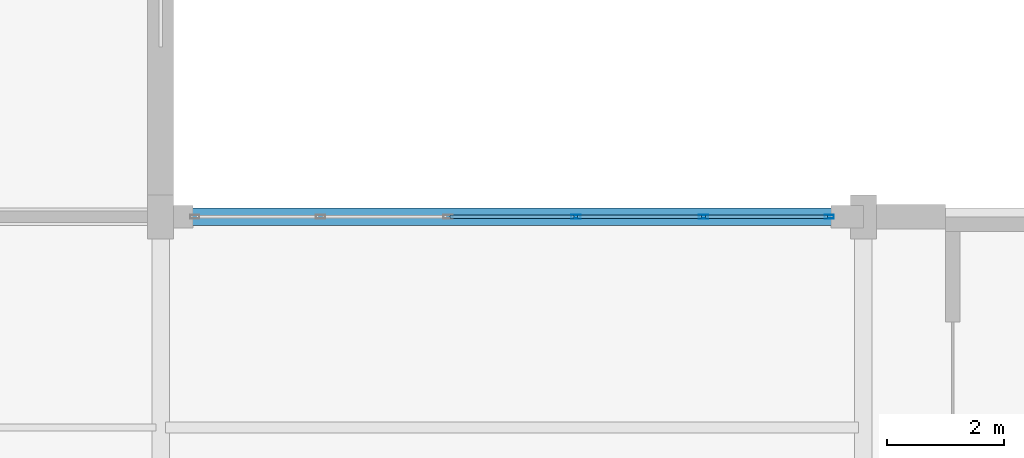
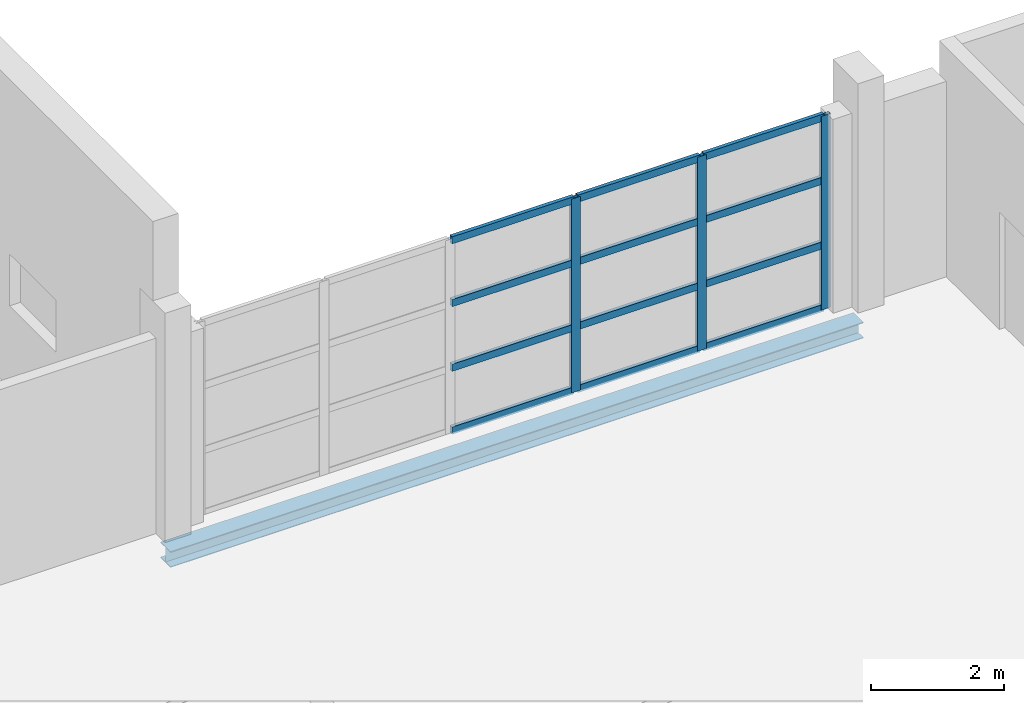
# One storey, part 114 of 147: 15 members, 1 beam, 1 element without a shape of its own.
"""IFC4 building model written with IfcOpenShell, lengths in metres."""

import ifcopenshell
import ifcopenshell.guid

model = None  # the IFC model being written
_history = None  # IfcOwnerHistory: only IFC2X3 demands one
_inside = {}  # id of a spatial element -> (the spatial element, [elements in it])
_under = {}  # id of a project, library or spatial element -> (it, [spatial elements below it])
_declared = {}  # id of a project -> (the project, [libraries it declares])
_typed = {}  # id of a type object -> (the type object, [elements of that type])
_made_of = {}  # id of a material, layer set ... -> (it, [elements and type objects made of it])


def new_model(schema):
    """Start an empty IFC model of exactly this schema.

    Asked for "IFC4X3", IfcOpenShell would pick the latest addendum, in which some entities
    have other attributes; the version numbers below select the first issue.
    IFC2X3 requires an IfcOwnerHistory on every rooted entity: one is made here for all.
    """
    global model, _history
    if schema == "IFC4X3":
        model = ifcopenshell.file(schema_version=(4, 3, 0, 0))
    else:
        model = ifcopenshell.file(schema=schema)
    _inside.clear()
    _under.clear()
    _declared.clear()
    _typed.clear()
    _made_of.clear()
    _history = None
    if model.schema == "IFC2X3":
        org = make("IfcOrganization", Name="unknown")
        user = make(
            "IfcPersonAndOrganization",
            ThePerson=make("IfcPerson", FamilyName="unknown"),
            TheOrganization=org,
        )
        app = make(
            "IfcApplication",
            ApplicationDeveloper=org,
            Version="unknown",
            ApplicationFullName="unknown",
            ApplicationIdentifier="unknown",
        )
        _history = make(
            "IfcOwnerHistory",
            OwningUser=user,
            OwningApplication=app,
            ChangeAction="ADDED",
            CreationDate=0,
        )
    return model


def make(cls, **values):
    """One entity of the class cls with the attributes given. An attribute that is None is left unset."""
    return model.create_entity(
        cls, **{name: value for name, value in values.items() if value is not None}
    )


def rooted(cls, **values):
    """An entity with a GlobalId (a new one), such as an element, a storey or a relation."""
    return make(cls, GlobalId=ifcopenshell.guid.new(), OwnerHistory=_history, **values)


def si_unit(unit_type, name, prefix=None):
    """IfcSIUnit, for example si_unit("LENGTHUNIT", "METRE", prefix="MILLI")."""
    return make("IfcSIUnit", UnitType=unit_type, Prefix=prefix, Name=name)


def assignment(units):
    """IfcUnitAssignment: the units of a project."""
    return None if units is None else make("IfcUnitAssignment", Units=units)


def point(xyz):
    """IfcCartesianPoint."""
    return None if xyz is None else make("IfcCartesianPoint", Coordinates=xyz)


def direction(xyz):
    """IfcDirection."""
    return None if xyz is None else make("IfcDirection", DirectionRatios=xyz)


def frame(location, z_axis=None, x_axis=None):
    """IfcAxis2Placement3D, a coordinate frame: its origin and axes. An axis left out is left unset."""
    return make(
        "IfcAxis2Placement3D",
        Location=point(location),
        Axis=direction(z_axis),
        RefDirection=direction(x_axis),
    )


def frame_2d(location, x_axis=None):
    """IfcAxis2Placement2D, a coordinate frame in the plane: its origin and x axis."""
    return make(
        "IfcAxis2Placement2D", Location=point(location), RefDirection=direction(x_axis)
    )


def origin():
    """The frame at (0, 0, 0) with its axes left unset."""
    return frame((0.0, 0.0, 0.0))


def origin_2d():
    """The frame at (0, 0) in the plane with its x axis left unset."""
    return frame_2d((0.0, 0.0))


def place(relative_to, where):
    """IfcLocalPlacement: puts the frame where relative to a parent placement (None: the world)."""
    return make(
        "IfcLocalPlacement", PlacementRelTo=relative_to, RelativePlacement=where
    )


def context(
    kind, dimensions, precision=None, world=None, true_north=None, identifier=None
):
    """IfcGeometricRepresentationContext, for example the 3D "Model" context."""
    return make(
        "IfcGeometricRepresentationContext",
        ContextIdentifier=identifier,
        ContextType=kind,
        CoordinateSpaceDimension=dimensions,
        Precision=precision,
        WorldCoordinateSystem=world,
        TrueNorth=true_north,
    )


def subcontext(parent, identifier, kind, view, scale=None):
    """IfcGeometricRepresentationSubContext, for example "Body" below "Model"."""
    return make(
        "IfcGeometricRepresentationSubContext",
        ContextIdentifier=identifier,
        ContextType=kind,
        ParentContext=parent,
        TargetScale=scale,
        TargetView=view,
    )


def project(units=None, contexts=None):
    """IfcProject with its units and contexts."""
    return rooted(
        "IfcProject",
        Name="project",
        RepresentationContexts=contexts,
        UnitsInContext=assignment(units),
    )


def spatial(cls, under=None, at=None, **own):
    """A site, building, storey or space (cls), placed at a placement, below another one or the project."""
    s = rooted(cls, ObjectPlacement=at, **own)
    if under is not None:
        _under.setdefault(under.id(), (under, []))[1].append(s)
    return s


def profile(cls, at=None, kind="AREA", **sizes):
    """A parametric profile (cls). Its sizes go by their IFC names, for example OverallWidth=200.0."""
    return make(cls, ProfileType=kind, Position=at, **sizes)


def hollow_rectangle(**sizes):
    """IfcRectangleHollowProfileDef."""
    return profile("IfcRectangleHollowProfileDef", **sizes)


def i_section(**sizes):
    """IfcIShapeProfileDef."""
    return profile("IfcIShapeProfileDef", **sizes)


def extrude(swept, where, along, depth):
    """IfcExtrudedAreaSolid: the profile swept, set in the frame where, extruded along a direction by depth."""
    return make(
        "IfcExtrudedAreaSolid",
        SweptArea=swept,
        Position=where,
        ExtrudedDirection=direction(along),
        Depth=depth,
    )


def shape(context_of_items, identifier, shape_type, items):
    """IfcShapeRepresentation: the items that make up one representation, for example the "Body"."""
    return make(
        "IfcShapeRepresentation",
        ContextOfItems=context_of_items,
        RepresentationIdentifier=identifier,
        RepresentationType=shape_type,
        Items=items,
    )


def material(Name=None, Category=None):
    """IfcMaterial."""
    return make("IfcMaterial", Name=Name, Category=Category)


def layer(
    of_material, thickness, ventilated=None, Name=None, Category=None, Priority=None
):
    """IfcMaterialLayer: one layer of a wall or slab, of a material (None: an air gap)."""
    return make(
        "IfcMaterialLayer",
        Material=of_material,
        LayerThickness=thickness,
        IsVentilated=ventilated,
        Name=Name,
        Category=Category,
        Priority=Priority,
    )


def layer_set(layers, Name=None):
    """IfcMaterialLayerSet."""
    return make("IfcMaterialLayerSet", MaterialLayers=layers, LayerSetName=Name)


def material_profile(
    of_material, cross_section, Name=None, Category=None, Priority=None
):
    """IfcMaterialProfile: a cross section and its material."""
    return make(
        "IfcMaterialProfile",
        Name=Name,
        Material=of_material,
        Profile=cross_section,
        Priority=Priority,
        Category=Category,
    )


def profile_set(profiles, Name=None, composite=None):
    """IfcMaterialProfileSet."""
    return make(
        "IfcMaterialProfileSet",
        Name=Name,
        MaterialProfiles=profiles,
        CompositeProfile=composite,
    )


def made_of(thing, what):
    """Note that an element or type object is made of a material, layer set ...; save() writes the relation."""
    if what is not None:
        _made_of.setdefault(what.id(), (what, []))[1].append(thing)
    return thing


def type_object(cls, material=None, **own):
    """A type object (cls), such as IfcWallType, which elements share."""
    return made_of(rooted(cls, **own), material)


def element(
    cls,
    number,
    at=None,
    inside=None,
    cuts=None,
    type_object=None,
    material=None,
    context=None,
    identifier="Body",
    shape_type=None,
    held_by="IfcProductDefinitionShape",
    body=None,
    shapes=None,
    **own,
):
    """One element of the class cls, such as IfcWall. Its Tag is "e" and its number.

    at: its placement. inside: the storey or other place that contains it. cuts: it is an
    opening in that element (IfcRelVoidsElement). A single representation is given by context,
    identifier, shape_type and body (its items); several are given by shapes. held_by: the class
    of the entity that holds the representations. save() writes the other relations.
    """
    e = rooted(cls, Tag="e%d" % number, ObjectPlacement=at, **own)
    if body is not None:
        shapes = [shape(context, identifier, shape_type, body)]
    if shapes is not None:
        e.Representation = make(held_by, Representations=shapes)
    if inside is not None:
        _inside.setdefault(inside.id(), (inside, []))[1].append(e)
    if cuts is not None:
        rooted(
            "IfcRelVoidsElement", RelatingBuildingElement=cuts, RelatedOpeningElement=e
        )
    if type_object is not None:
        _typed.setdefault(type_object.id(), (type_object, []))[1].append(e)
    return made_of(e, material)


def aggregate(whole, parts):
    """IfcRelAggregates: a whole, such as a stair, and the parts it consists of."""
    return rooted("IfcRelAggregates", RelatingObject=whole, RelatedObjects=parts)


def save(model, path):
    """Write the relations noted so far, then the file.

    IfcRelAggregates (storeys below a building ...), IfcRelContainedInSpatialStructure (elements
    in a storey), IfcRelDefinesByType, IfcRelAssociatesMaterial and IfcRelDeclares: one each for
    every whole, place, type object, material and project.
    """
    for whole, parts in _under.values():
        aggregate(whole, parts)
    for where, things in _inside.values():
        rooted(
            "IfcRelContainedInSpatialStructure",
            RelatedElements=things,
            RelatingStructure=where,
        )
    for kind, things in _typed.values():
        rooted("IfcRelDefinesByType", RelatedObjects=things, RelatingType=kind)
    for what, things in _made_of.values():
        rooted("IfcRelAssociatesMaterial", RelatedObjects=things, RelatingMaterial=what)
    for by, libraries in _declared.values():
        rooted("IfcRelDeclares", RelatingContext=by, RelatedDefinitions=libraries)
    model.write(path)


model = new_model("IFC4")

# Units and contexts
model_context = context("Model", 3, precision=1e-05, world=origin(), true_north=direction((0.0, 1.0)))
body_context = subcontext(model_context, "Body", "Model", "MODEL_VIEW")
ifc_project = project(units=[si_unit("LENGTHUNIT", "METRE"), si_unit("AREAUNIT", "SQUARE_METRE"), si_unit("VOLUMEUNIT", "CUBIC_METRE"), si_unit("PLANEANGLEUNIT", "RADIAN"), si_unit("MASSUNIT", "GRAM", prefix="KILO")], contexts=[model_context])

# Site, building, storey
site_placement = place(None, origin())
site = spatial("IfcSite", under=ifc_project, at=site_placement, CompositionType="ELEMENT")
building_placement = place(site_placement, origin())
building = spatial("IfcBuilding", under=site, at=building_placement, Name="Zilviju Railside Exhibition Hall", CompositionType="ELEMENT")
storey_placement = place(building_placement, frame((0.0, 0.0, 8.39990234375)))
storey = spatial("IfcBuildingStorey", under=building, at=storey_placement, Name="L03", CompositionType="ELEMENT", Elevation=8.39990234375)

# Beam
ifc_material_1 = material(Name="Steel S355J2", Category="steel")
ifc_material_profile_1 = material_profile(ifc_material_1, i_section(OverallWidth=0.300048828125, OverallDepth=0.2900390625, WebThickness=0.008544921875, FlangeThickness=0.013916015625, at=origin_2d()), Name="HEA 300")
ifc_profile_set_1 = profile_set([ifc_material_profile_1], Name="Steel S355J2")
beam_type = type_object("IfcBeamType", Name="BM-HEA300", PredefinedType="SPANDREL", material=ifc_profile_set_1)
beam_placement = place(storey_placement, frame((180.0, 138.0, -0.52490234375), z_axis=(1.0, 0.0, 0.0), x_axis=(0.0, 1.0, 0.0)))
element("IfcBeam", 1, at=beam_placement, inside=storey, type_object=beam_type, Name="Primary Girder L03 Y=138.0 (180.0..192.0)", PredefinedType="SPANDREL", context=body_context, shape_type="SweptSolid", body=[
    extrude(i_section(OverallWidth=0.300048828125, OverallDepth=0.2900390625, WebThickness=0.008544921875, FlangeThickness=0.013916015625, at=origin_2d()), origin(), (0.0, 0.0, 1.0), 12.0),
])

# Curtain wall, members
ifc_material_2 = material(Name="Thermally broken aluminium-steel triple-glazed curtain wall", Category="steel")
ifc_layer = layer(ifc_material_2, 0.179931640625)
ifc_layer_set = layer_set([ifc_layer], Name="Thermally broken aluminium-steel triple-glazed curtain wall")
curtain_wall_type = type_object("IfcCurtainWallType", Name="CW-BAY-06", PredefinedType="USERDEFINED", material=ifc_layer_set)
curtain_wall_placement = place(storey_placement, origin())
curtain_wall = element("IfcCurtainWall", 2, at=curtain_wall_placement, inside=storey, type_object=curtain_wall_type, Name="North Hall Clerestory Curtain Wall L03 (180..192)", ObjectType="GLAZED CURTAIN WALL", PredefinedType="USERDEFINED")
ifc_material_3 = material(Name="Thermally broken anodized aluminium mullion", Category="aluminium")
ifc_material_profile_2 = material_profile(ifc_material_3, hollow_rectangle(XDim=0.06494140625, YDim=0.159912109375, WallThickness=0.0048828125, at=origin_2d()), Name="MULLION 160x65x5")
ifc_profile_set_2 = profile_set([ifc_material_profile_2], Name="Thermally broken anodized aluminium mullion")
member_type_1 = type_object("IfcMemberType", Name="CWM-65x160", PredefinedType="MULLION", material=ifc_profile_set_2)
member_1_placement = place(storey_placement, frame((187.090087890625, 138.0, 0.0), z_axis=(0.0, 0.0, 1.0), x_axis=(0.0, 1.0, 0.0)))
member_1 = element("IfcMember", 3, at=member_1_placement, type_object=member_type_1, Name="CW-06 mullion 4", PredefinedType="MULLION", context=body_context, shape_type="SweptSolid", body=[
    extrude(hollow_rectangle(XDim=0.06494140625, YDim=0.159912109375, WallThickness=0.0048828125, at=origin_2d()), origin(), (0.0, 0.0, 1.0), 3.550048828125),
])
member_2_placement = place(storey_placement, frame((189.27001953125, 138.0, 0.0), z_axis=(0.0, 0.0, 1.0), x_axis=(0.0, 1.0, 0.0)))
member_2 = element("IfcMember", 4, at=member_2_placement, type_object=member_type_1, Name="CW-06 mullion 5", PredefinedType="MULLION", context=body_context, shape_type="SweptSolid", body=[
    extrude(hollow_rectangle(XDim=0.06494140625, YDim=0.159912109375, WallThickness=0.0048828125, at=origin_2d()), origin(), (0.0, 0.0, 1.0), 3.550048828125),
])
member_3_placement = place(storey_placement, frame((191.41748046875, 138.0, 0.0), z_axis=(0.0, 0.0, 1.0), x_axis=(0.0, 1.0, 0.0)))
member_3 = element("IfcMember", 5, at=member_3_placement, type_object=member_type_1, Name="CW-06 mullion 6", PredefinedType="MULLION", context=body_context, shape_type="SweptSolid", body=[
    extrude(hollow_rectangle(XDim=0.06494140625, YDim=0.159912109375, WallThickness=0.0048828125, at=origin_2d()), origin(), (0.0, 0.0, 1.0), 3.550048828125),
])
ifc_material_4 = material(Name="Thermally broken anodized aluminium transom", Category="aluminium")
ifc_material_profile_3 = material_profile(ifc_material_4, hollow_rectangle(XDim=0.06494140625, YDim=0.1298828125, WallThickness=0.0048828125, at=origin_2d()), Name="TRANSOM 130x65x5")
ifc_profile_set_3 = profile_set([ifc_material_profile_3], Name="Thermally broken anodized aluminium transom")
member_type_2 = type_object("IfcMemberType", Name="CWT-65x130", PredefinedType="USERDEFINED", material=ifc_profile_set_3)
member_4_placement = place(storey_placement, frame((184.9423828125, 138.0, 0.03271484375), z_axis=(1.0, 0.0, 0.0), x_axis=(0.0, 1.0, 0.0)))
member_4 = element("IfcMember", 6, at=member_4_placement, type_object=member_type_2, Name="CW-06 transom 3.1", ObjectType="TRANSOM", PredefinedType="USERDEFINED", context=body_context, shape_type="SweptSolid", body=[
    extrude(hollow_rectangle(XDim=0.06494140625, YDim=0.1298828125, WallThickness=0.0048828125, at=origin_2d()), origin(), (0.0, 0.0, 1.0), 2.115234375),
])
member_5_placement = place(storey_placement, frame((184.9423828125, 138.0, 1.18310546875), z_axis=(1.0, 0.0, 0.0), x_axis=(0.0, 1.0, 0.0)))
member_5 = element("IfcMember", 7, at=member_5_placement, type_object=member_type_2, Name="CW-06 transom 3.2", ObjectType="TRANSOM", PredefinedType="USERDEFINED", context=body_context, shape_type="SweptSolid", body=[
    extrude(hollow_rectangle(XDim=0.06494140625, YDim=0.1298828125, WallThickness=0.0048828125, at=origin_2d()), origin(), (0.0, 0.0, 1.0), 2.115234375),
])
member_6_placement = place(storey_placement, frame((184.9423828125, 138.0, 2.3671875), z_axis=(1.0, 0.0, 0.0), x_axis=(0.0, 1.0, 0.0)))
member_6 = element("IfcMember", 8, at=member_6_placement, type_object=member_type_2, Name="CW-06 transom 3.3", ObjectType="TRANSOM", PredefinedType="USERDEFINED", context=body_context, shape_type="SweptSolid", body=[
    extrude(hollow_rectangle(XDim=0.06494140625, YDim=0.1298828125, WallThickness=0.0048828125, at=origin_2d()), origin(), (0.0, 0.0, 1.0), 2.115234375),
])
member_7_placement = place(storey_placement, frame((184.9423828125, 138.0, 3.517578125), z_axis=(1.0, 0.0, 0.0), x_axis=(0.0, 1.0, 0.0)))
member_7 = element("IfcMember", 9, at=member_7_placement, type_object=member_type_2, Name="CW-06 transom 3.4", ObjectType="TRANSOM", PredefinedType="USERDEFINED", context=body_context, shape_type="SweptSolid", body=[
    extrude(hollow_rectangle(XDim=0.06494140625, YDim=0.1298828125, WallThickness=0.0048828125, at=origin_2d()), origin(), (0.0, 0.0, 1.0), 2.115234375),
])
member_8_placement = place(storey_placement, frame((187.12255859375, 138.0, 0.03271484375), z_axis=(1.0, 0.0, 0.0), x_axis=(0.0, 1.0, 0.0)))
member_8 = element("IfcMember", 10, at=member_8_placement, type_object=member_type_2, Name="CW-06 transom 4.1", ObjectType="TRANSOM", PredefinedType="USERDEFINED", context=body_context, shape_type="SweptSolid", body=[
    extrude(hollow_rectangle(XDim=0.06494140625, YDim=0.1298828125, WallThickness=0.0048828125, at=origin_2d()), origin(), (0.0, 0.0, 1.0), 2.114990234375),
])
member_9_placement = place(storey_placement, frame((187.12255859375, 138.0, 1.18310546875), z_axis=(1.0, 0.0, 0.0), x_axis=(0.0, 1.0, 0.0)))
member_9 = element("IfcMember", 11, at=member_9_placement, type_object=member_type_2, Name="CW-06 transom 4.2", ObjectType="TRANSOM", PredefinedType="USERDEFINED", context=body_context, shape_type="SweptSolid", body=[
    extrude(hollow_rectangle(XDim=0.06494140625, YDim=0.1298828125, WallThickness=0.0048828125, at=origin_2d()), origin(), (0.0, 0.0, 1.0), 2.114990234375),
])
member_10_placement = place(storey_placement, frame((187.12255859375, 138.0, 2.3671875), z_axis=(1.0, 0.0, 0.0), x_axis=(0.0, 1.0, 0.0)))
member_10 = element("IfcMember", 12, at=member_10_placement, type_object=member_type_2, Name="CW-06 transom 4.3", ObjectType="TRANSOM", PredefinedType="USERDEFINED", context=body_context, shape_type="SweptSolid", body=[
    extrude(hollow_rectangle(XDim=0.06494140625, YDim=0.1298828125, WallThickness=0.0048828125, at=origin_2d()), origin(), (0.0, 0.0, 1.0), 2.114990234375),
])
member_11_placement = place(storey_placement, frame((187.12255859375, 138.0, 3.517578125), z_axis=(1.0, 0.0, 0.0), x_axis=(0.0, 1.0, 0.0)))
member_11 = element("IfcMember", 13, at=member_11_placement, type_object=member_type_2, Name="CW-06 transom 4.4", ObjectType="TRANSOM", PredefinedType="USERDEFINED", context=body_context, shape_type="SweptSolid", body=[
    extrude(hollow_rectangle(XDim=0.06494140625, YDim=0.1298828125, WallThickness=0.0048828125, at=origin_2d()), origin(), (0.0, 0.0, 1.0), 2.114990234375),
])
member_12_placement = place(storey_placement, frame((189.302490234375, 138.0, 0.03271484375), z_axis=(1.0, 0.0, 0.0), x_axis=(0.0, 1.0, 0.0)))
member_12 = element("IfcMember", 14, at=member_12_placement, type_object=member_type_2, Name="CW-06 transom 5.1", ObjectType="TRANSOM", PredefinedType="USERDEFINED", context=body_context, shape_type="SweptSolid", body=[
    extrude(hollow_rectangle(XDim=0.06494140625, YDim=0.1298828125, WallThickness=0.0048828125, at=origin_2d()), origin(), (0.0, 0.0, 1.0), 2.08251953125),
])
member_13_placement = place(storey_placement, frame((189.302490234375, 138.0, 1.18310546875), z_axis=(1.0, 0.0, 0.0), x_axis=(0.0, 1.0, 0.0)))
member_13 = element("IfcMember", 15, at=member_13_placement, type_object=member_type_2, Name="CW-06 transom 5.2", ObjectType="TRANSOM", PredefinedType="USERDEFINED", context=body_context, shape_type="SweptSolid", body=[
    extrude(hollow_rectangle(XDim=0.06494140625, YDim=0.1298828125, WallThickness=0.0048828125, at=origin_2d()), origin(), (0.0, 0.0, 1.0), 2.08251953125),
])
member_14_placement = place(storey_placement, frame((189.302490234375, 138.0, 2.3671875), z_axis=(1.0, 0.0, 0.0), x_axis=(0.0, 1.0, 0.0)))
member_14 = element("IfcMember", 16, at=member_14_placement, type_object=member_type_2, Name="CW-06 transom 5.3", ObjectType="TRANSOM", PredefinedType="USERDEFINED", context=body_context, shape_type="SweptSolid", body=[
    extrude(hollow_rectangle(XDim=0.06494140625, YDim=0.1298828125, WallThickness=0.0048828125, at=origin_2d()), origin(), (0.0, 0.0, 1.0), 2.08251953125),
])
member_15_placement = place(storey_placement, frame((189.302490234375, 138.0, 3.517578125), z_axis=(1.0, 0.0, 0.0), x_axis=(0.0, 1.0, 0.0)))
member_15 = element("IfcMember", 17, at=member_15_placement, type_object=member_type_2, Name="CW-06 transom 5.4", ObjectType="TRANSOM", PredefinedType="USERDEFINED", context=body_context, shape_type="SweptSolid", body=[
    extrude(hollow_rectangle(XDim=0.06494140625, YDim=0.1298828125, WallThickness=0.0048828125, at=origin_2d()), origin(), (0.0, 0.0, 1.0), 2.08251953125),
])
aggregate(curtain_wall, [member_1, member_2, member_3, member_4, member_5, member_6, member_7, member_8, member_9, member_10, member_11, member_12, member_13, member_14, member_15])

save(model, "model.ifc")
